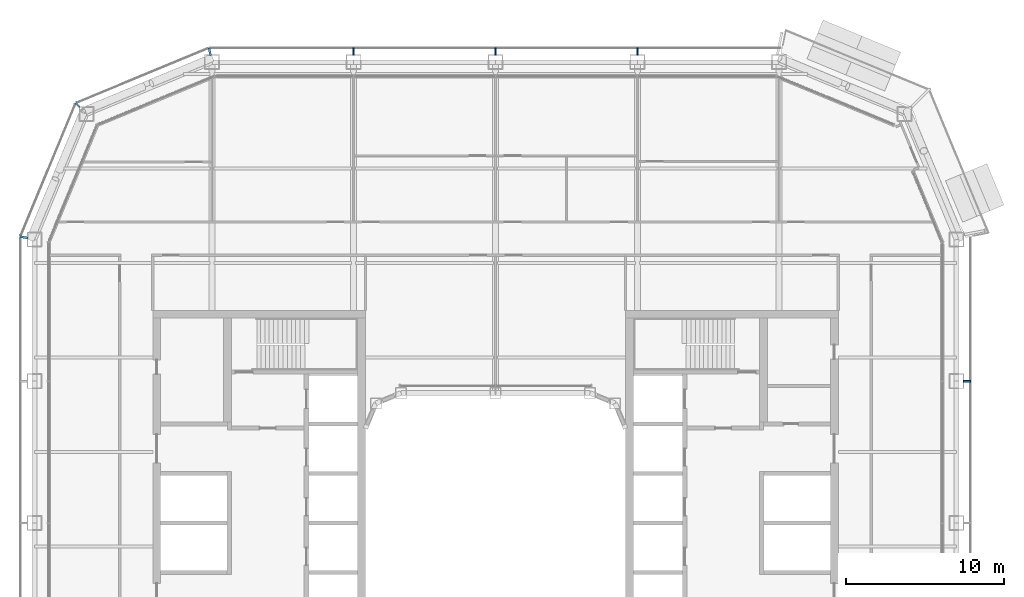
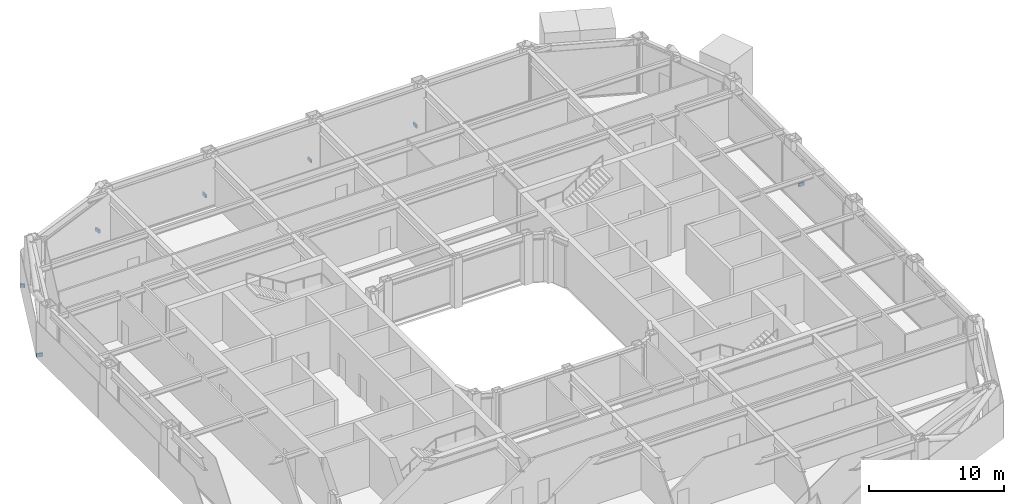
# One storey, part 17 of 24: 7 discrete accessories.
"""IFC4 building model written with IfcOpenShell, lengths in metres."""

from ifc_helpers import new_model, si_unit, direction, frame, origin, origin_2d, place, context, subcontext, project, spatial, rectangle, extrude, material, type_object, element, save


model = new_model("IFC4")

# Units and contexts
model_context = context("Model", 3, precision=1e-05, world=origin(), true_north=direction((0.0, 1.0)))
body_context = subcontext(model_context, "Body", "Model", "MODEL_VIEW")
ifc_project = project(units=[si_unit("LENGTHUNIT", "METRE"), si_unit("AREAUNIT", "SQUARE_METRE"), si_unit("VOLUMEUNIT", "CUBIC_METRE"), si_unit("PLANEANGLEUNIT", "RADIAN"), si_unit("MASSUNIT", "GRAM", prefix="KILO")], contexts=[model_context])

# Site, building, storey
site_placement = place(None, origin())
site = spatial("IfcSite", under=ifc_project, at=site_placement, CompositionType="ELEMENT")
building_placement = place(site_placement, origin())
building = spatial("IfcBuilding", under=site, at=building_placement, Name="Siwar Civic Tower", CompositionType="ELEMENT")
storey_placement = place(building_placement, frame((0.0, 0.0, 113.699951171875)))
storey = spatial("IfcBuildingStorey", under=building, at=storey_placement, Name="L24", CompositionType="ELEMENT", Elevation=113.699951171875)

# Discrete accessories
ifc_material = material(Name="Stainless steel 316", Category="steel")
discrete_accessory_type = type_object("IfcDiscreteAccessoryType", Name="ENV-BRACKET", PredefinedType="BRACKET", material=ifc_material)
for number, where, z_axis, x_axis, name in (
    (1, (29.9150390625, 9.0, -0.14990234375), (0.0, 0.0, 1.0), (1.0, 0.0, 0.0), "Bracket outer skin joint E-03"),
    (2, (9.0, 29.9150390625, -0.14990234375), (0.0, 0.0, 1.0), (0.0, 1.0, 0.0), "Bracket outer skin joint N-01"),
    (3, (0.0, 29.9150390625, -0.14990234375), (0.0, 0.0, 1.0), (0.0, 1.0, 0.0), "Bracket outer skin joint N-02"),
    (4, (-9.0, 29.9150390625, -0.14990234375), (0.0, 0.0, 1.0), (0.0, 1.0, 0.0), "Bracket outer skin joint N-03"),
):
    element("IfcDiscreteAccessory", number, at=place(storey_placement, frame(where, z_axis=z_axis, x_axis=x_axis)), inside=storey, type_object=discrete_accessory_type, Name=name, PredefinedType="BRACKET", context=body_context, shape_type="SweptSolid", body=[
        extrude(rectangle(XDim=0.469970703125, YDim=0.10009765625, at=origin_2d()), origin(), (0.0, 0.0, 1.0), 0.300048828125),
    ])
discrete_accessory_1_placement = place(storey_placement, frame((-18.13232421875, 29.915283203125, -0.14990234375), z_axis=(0.0, 0.0, 1.0), x_axis=(-0.195090322016, 0.980785280403, 0.0)))
element("IfcDiscreteAccessory", 5, at=discrete_accessory_1_placement, inside=storey, type_object=discrete_accessory_type, Name="Bracket outer skin joint V07", PredefinedType="BRACKET", context=body_context, shape_type="SweptSolid", body=[
    extrude(rectangle(XDim=0.478759765625, YDim=0.13720703125, at=origin_2d()), origin(), (0.0, 0.0, 1.0), 0.300048828125),
])
discrete_accessory_2_placement = place(storey_placement, frame((-26.517333984375, 26.517333984375, -0.14990234375), z_axis=(0.0, 0.0, 1.0), x_axis=(-0.707106781187, 0.707106781187, 0.0)))
element("IfcDiscreteAccessory", 6, at=discrete_accessory_2_placement, inside=storey, type_object=discrete_accessory_type, Name="Bracket outer skin joint V08", PredefinedType="BRACKET", context=body_context, shape_type="SweptSolid", body=[
    extrude(rectangle(XDim=0.357666015625, YDim=0.12939453125, at=origin_2d()), origin(), (0.0, 0.0, 1.0), 0.300048828125),
])
discrete_accessory_3_placement = place(storey_placement, frame((-29.915283203125, 18.13232421875, -0.14990234375), z_axis=(0.0, 0.0, 1.0), x_axis=(-0.980785280403, 0.195090322016, 0.0)))
element("IfcDiscreteAccessory", 7, at=discrete_accessory_3_placement, inside=storey, type_object=discrete_accessory_type, Name="Bracket outer skin joint V09", PredefinedType="BRACKET", context=body_context, shape_type="SweptSolid", body=[
    extrude(rectangle(XDim=0.478759765625, YDim=0.13720703125, at=origin_2d()), origin(), (0.0, 0.0, 1.0), 0.300048828125),
])

save(model, "model.ifc")
